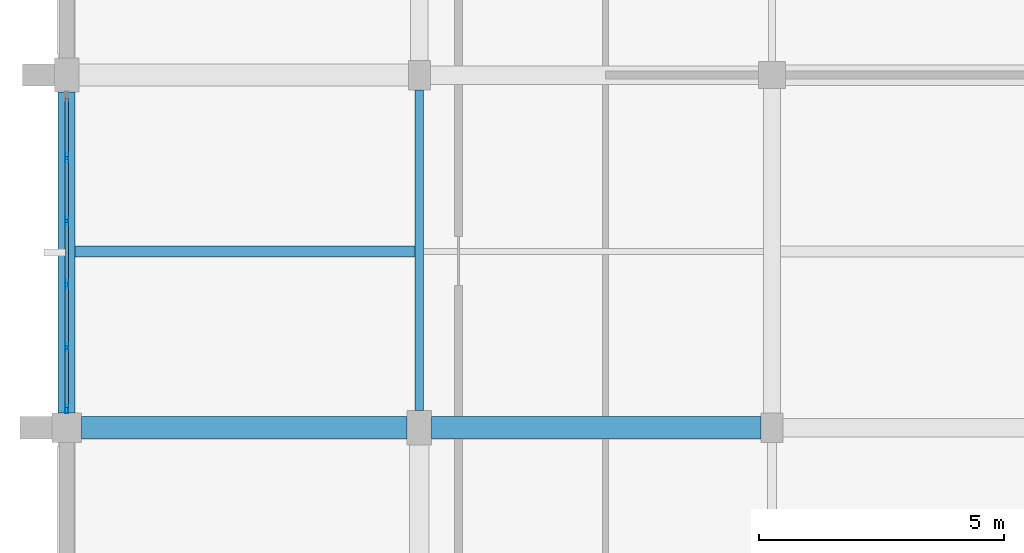
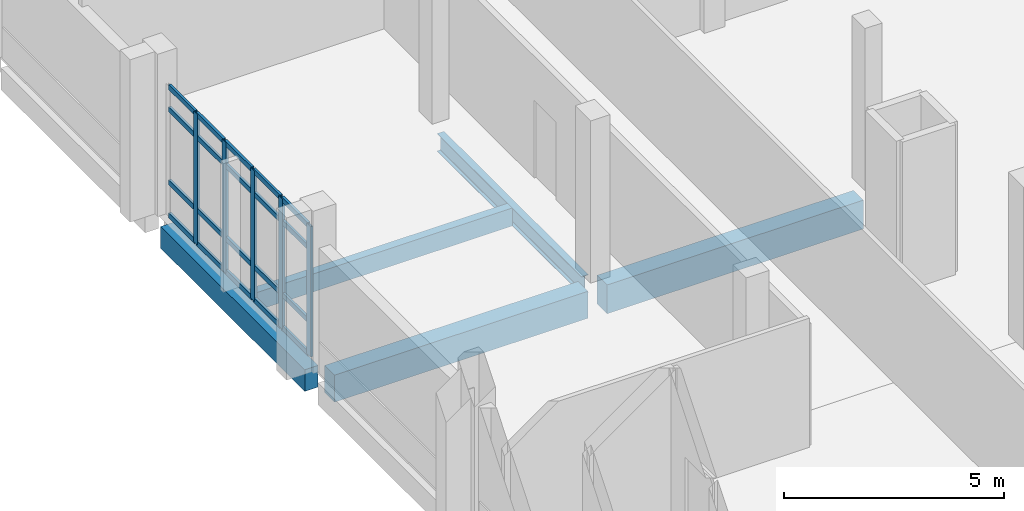
# One storey, part 14 of 57: 25 members, 5 beams, 1 element without a shape of its own.
"""IFC4 building model written with IfcOpenShell, lengths in metres."""

from ifc_helpers import new_model, si_unit, direction, frame, origin, origin_2d, place, context, subcontext, project, spatial, rectangle, hollow_rectangle, i_section, extrude, material, material_profile, profile_set, type_object, element, aggregate, save


model = new_model("IFC4")

# Units and contexts
model_context = context("Model", 3, precision=1e-05, world=origin(), true_north=direction((0.0, 1.0)))
body_context = subcontext(model_context, "Body", "Model", "MODEL_VIEW")
ifc_project = project(units=[si_unit("LENGTHUNIT", "METRE"), si_unit("AREAUNIT", "SQUARE_METRE"), si_unit("VOLUMEUNIT", "CUBIC_METRE"), si_unit("PLANEANGLEUNIT", "RADIAN"), si_unit("MASSUNIT", "GRAM", prefix="KILO")], contexts=[model_context])

# Site, building, storey
site_placement = place(None, origin())
site = spatial("IfcSite", under=ifc_project, at=site_placement, CompositionType="ELEMENT")
building_placement = place(site_placement, origin())
building = spatial("IfcBuilding", under=site, at=building_placement, Name="Kalluvel Institute of Natural Sciences", CompositionType="ELEMENT")
storey_placement = place(building_placement, frame((0.0, 0.0, 23.39990234375)))
storey = spatial("IfcBuildingStorey", under=building, at=storey_placement, Name="L05", CompositionType="ELEMENT", Elevation=23.39990234375)

# Beams
ifc_material_1 = material(Name="Steel E350 Grade 350", Category="steel")
ifc_material_profile_1 = material_profile(ifc_material_1, i_section(OverallWidth=0.179931640625, OverallDepth=0.5, WebThickness=0.01025390625, FlangeThickness=0.01708984375, FilletRadius=0.01708984375, at=origin_2d()), Name="ISMB 500")
ifc_profile_set_1 = profile_set([ifc_material_profile_1], Name="Steel E350 Grade 350")
beam_type_1 = type_object("IfcBeamType", Name="BM-ISMB500", PredefinedType="BEAM", material=ifc_profile_set_1)
beam_1_placement = place(storey_placement, frame((21.199951171875, 71.949951171875, -0.5498046875), z_axis=(0.0, 1.0, 0.0), x_axis=(-1.0, 0.0, 0.0)))
element("IfcBeam", 1, at=beam_1_placement, inside=storey, type_object=beam_type_1, Name="L05 girder GIR-L05-NS-X212-Y716", PredefinedType="BEAM", context=body_context, shape_type="SweptSolid", body=[
    extrude(i_section(OverallWidth=0.179931640625, OverallDepth=0.5, WebThickness=0.01025390625, FlangeThickness=0.01708984375, FilletRadius=0.01708984375, at=origin_2d()), origin(), (0.0, 0.0, 1.0), 6.550048828125),
])
ifc_material_2 = material(Name="Concrete M40", Category="concrete")
ifc_material_profile_2 = material_profile(ifc_material_2, rectangle(XDim=0.449951171875, YDim=0.75, at=origin_2d()), Name="RCB 450x750")
ifc_profile_set_2 = profile_set([ifc_material_profile_2], Name="Concrete M40")
beam_type_2 = type_object("IfcBeamType", Name="BM-RC450x750", PredefinedType="BEAM", material=ifc_profile_set_2)
beam_2_placement = place(storey_placement, frame((14.300048828125, 71.60009765625, -0.6748046875), z_axis=(1.0, 0.0, 0.0), x_axis=(0.0, 1.0, 0.0)))
element("IfcBeam", 2, at=beam_2_placement, inside=storey, type_object=beam_type_2, Name="L05 girder GIR-L05-EW-X140-Y716", PredefinedType="BEAM", context=body_context, shape_type="SweptSolid", body=[
    extrude(rectangle(XDim=0.449951171875, YDim=0.75, at=origin_2d()), origin(), (0.0, 0.0, 1.0), 6.64990234375),
])
ifc_material_profile_3 = material_profile(ifc_material_2, rectangle(XDim=0.449951171875, YDim=0.800048828125, at=origin_2d()), Name="RCB 450x800")
ifc_profile_set_3 = profile_set([ifc_material_profile_3], Name="Concrete M40")
beam_type_3 = type_object("IfcBeamType", Name="BM-RC450x800", PredefinedType="BEAM", material=ifc_profile_set_3)
beam_3_placement = place(storey_placement, frame((21.449951171875, 71.60009765625, -0.699951171875), z_axis=(1.0, 0.0, 0.0), x_axis=(0.0, 1.0, 0.0)))
element("IfcBeam", 3, at=beam_3_placement, inside=storey, type_object=beam_type_3, Name="L05 girder GIR-L05-EW-X212-Y716", PredefinedType="BEAM", context=body_context, shape_type="SweptSolid", body=[
    extrude(rectangle(XDim=0.449951171875, YDim=0.800048828125, at=origin_2d()), origin(), (0.0, 0.0, 1.0), 6.72509765625),
])

# Curtain wall, members
ifc_material_3 = material(Name="Aluminium AW-6063 T6", Category="aluminium")
curtain_wall_type = type_object("IfcCurtainWallType", Name="CW-DRY-45", PredefinedType="USERDEFINED", material=ifc_material_3)
curtain_wall_placement = place(storey_placement, origin())
curtain_wall = element("IfcCurtainWall", 4, at=curtain_wall_placement, inside=storey, type_object=curtain_wall_type, Name="L05 Gothic lancet curtain wall CWA-L05-X140-Y720", ObjectType="UNITISED LANCET FACADE", PredefinedType="USERDEFINED")
ifc_material_profile_4 = material_profile(ifc_material_3, hollow_rectangle(XDim=0.06494140625, YDim=0.179931640625, WallThickness=0.00439453125, at=origin_2d()), Name="CWM 65x180")
ifc_profile_set_4 = profile_set([ifc_material_profile_4], Name="Aluminium AW-6063 T6")
member_type_1 = type_object("IfcMemberType", Name="CWM-65x180", PredefinedType="MULLION", material=ifc_profile_set_4)
member_1_placement = place(storey_placement, frame((14.0, 71.982421875, 0.0), z_axis=(0.0, 0.0, 1.0), x_axis=(-1.0, 0.0, 0.0)))
member_1 = element("IfcMember", 5, at=member_1_placement, type_object=member_type_1, Name="CW-03 mullion 1", PredefinedType="MULLION", context=body_context, shape_type="SweptSolid", body=[
    extrude(hollow_rectangle(XDim=0.06494140625, YDim=0.179931640625, WallThickness=0.00439453125, at=origin_2d()), origin(), (0.0, 0.0, 1.0), 3.6201171875),
])
member_2_placement = place(storey_placement, frame((14.0, 73.239990234375, 0.0), z_axis=(0.0, 0.0, 1.0), x_axis=(-1.0, 0.0, 0.0)))
member_2 = element("IfcMember", 6, at=member_2_placement, type_object=member_type_1, Name="CW-03 mullion 2", PredefinedType="MULLION", context=body_context, shape_type="SweptSolid", body=[
    extrude(hollow_rectangle(XDim=0.06494140625, YDim=0.179931640625, WallThickness=0.00439453125, at=origin_2d()), origin(), (0.0, 0.0, 1.0), 3.6201171875),
])
member_3_placement = place(storey_placement, frame((14.0, 74.530029296875, 0.0), z_axis=(0.0, 0.0, 1.0), x_axis=(-1.0, 0.0, 0.0)))
member_3 = element("IfcMember", 7, at=member_3_placement, type_object=member_type_1, Name="CW-03 mullion 3", PredefinedType="MULLION", context=body_context, shape_type="SweptSolid", body=[
    extrude(hollow_rectangle(XDim=0.06494140625, YDim=0.179931640625, WallThickness=0.00439453125, at=origin_2d()), origin(), (0.0, 0.0, 1.0), 3.6201171875),
])
member_4_placement = place(storey_placement, frame((14.0, 75.820068359375, 0.0), z_axis=(0.0, 0.0, 1.0), x_axis=(-1.0, 0.0, 0.0)))
member_4 = element("IfcMember", 8, at=member_4_placement, type_object=member_type_1, Name="CW-03 mullion 4", PredefinedType="MULLION", context=body_context, shape_type="SweptSolid", body=[
    extrude(hollow_rectangle(XDim=0.06494140625, YDim=0.179931640625, WallThickness=0.00439453125, at=origin_2d()), origin(), (0.0, 0.0, 1.0), 3.6201171875),
])
member_5_placement = place(storey_placement, frame((14.0, 77.110107421875, 0.0), z_axis=(0.0, 0.0, 1.0), x_axis=(-1.0, 0.0, 0.0)))
member_5 = element("IfcMember", 9, at=member_5_placement, type_object=member_type_1, Name="CW-03 mullion 5", PredefinedType="MULLION", context=body_context, shape_type="SweptSolid", body=[
    extrude(hollow_rectangle(XDim=0.06494140625, YDim=0.179931640625, WallThickness=0.00439453125, at=origin_2d()), origin(), (0.0, 0.0, 1.0), 3.6201171875),
])
ifc_material_profile_5 = material_profile(ifc_material_3, hollow_rectangle(XDim=0.06494140625, YDim=0.139892578125, WallThickness=0.00439453125, at=origin_2d()), Name="CWT 65x140")
ifc_profile_set_5 = profile_set([ifc_material_profile_5], Name="Aluminium AW-6063 T6")
member_type_2 = type_object("IfcMemberType", Name="CWT-65x140", PredefinedType="USERDEFINED", material=ifc_profile_set_5)
member_6_placement = place(storey_placement, frame((14.0, 72.014892578125, 0.03271484375), z_axis=(0.0, 1.0, 0.0), x_axis=(-1.0, 0.0, 0.0)))
member_6 = element("IfcMember", 10, at=member_6_placement, type_object=member_type_2, Name="CW-03 transom 1.1", ObjectType="TRANSOM", PredefinedType="USERDEFINED", context=body_context, shape_type="SweptSolid", body=[
    extrude(hollow_rectangle(XDim=0.06494140625, YDim=0.139892578125, WallThickness=0.00439453125, at=origin_2d()), origin(), (0.0, 0.0, 1.0), 1.192626953125),
])
member_7_placement = place(storey_placement, frame((14.0, 72.014892578125, 0.9501953125), z_axis=(0.0, 1.0, 0.0), x_axis=(-1.0, 0.0, 0.0)))
member_7 = element("IfcMember", 11, at=member_7_placement, type_object=member_type_2, Name="CW-03 transom 1.2", ObjectType="TRANSOM", PredefinedType="USERDEFINED", context=body_context, shape_type="SweptSolid", body=[
    extrude(hollow_rectangle(XDim=0.06494140625, YDim=0.139892578125, WallThickness=0.00439453125, at=origin_2d()), origin(), (0.0, 0.0, 1.0), 1.192626953125),
])
member_8_placement = place(storey_placement, frame((14.0, 72.014892578125, 2.97021484375), z_axis=(0.0, 1.0, 0.0), x_axis=(-1.0, 0.0, 0.0)))
member_8 = element("IfcMember", 12, at=member_8_placement, type_object=member_type_2, Name="CW-03 transom 1.3", ObjectType="TRANSOM", PredefinedType="USERDEFINED", context=body_context, shape_type="SweptSolid", body=[
    extrude(hollow_rectangle(XDim=0.06494140625, YDim=0.139892578125, WallThickness=0.00439453125, at=origin_2d()), origin(), (0.0, 0.0, 1.0), 1.192626953125),
])
member_9_placement = place(storey_placement, frame((14.0, 72.014892578125, 3.587646484375), z_axis=(0.0, 1.0, 0.0), x_axis=(-1.0, 0.0, 0.0)))
member_9 = element("IfcMember", 13, at=member_9_placement, type_object=member_type_2, Name="CW-03 transom 1.4", ObjectType="TRANSOM", PredefinedType="USERDEFINED", context=body_context, shape_type="SweptSolid", body=[
    extrude(hollow_rectangle(XDim=0.06494140625, YDim=0.139892578125, WallThickness=0.00439453125, at=origin_2d()), origin(), (0.0, 0.0, 1.0), 1.192626953125),
])
member_10_placement = place(storey_placement, frame((14.0, 73.2724609375, 0.03271484375), z_axis=(0.0, 1.0, 0.0), x_axis=(-1.0, 0.0, 0.0)))
member_10 = element("IfcMember", 14, at=member_10_placement, type_object=member_type_2, Name="CW-03 transom 2.1", ObjectType="TRANSOM", PredefinedType="USERDEFINED", context=body_context, shape_type="SweptSolid", body=[
    extrude(hollow_rectangle(XDim=0.06494140625, YDim=0.139892578125, WallThickness=0.00439453125, at=origin_2d()), origin(), (0.0, 0.0, 1.0), 1.22509765625),
])
member_11_placement = place(storey_placement, frame((14.0, 73.2724609375, 0.9501953125), z_axis=(0.0, 1.0, 0.0), x_axis=(-1.0, 0.0, 0.0)))
member_11 = element("IfcMember", 15, at=member_11_placement, type_object=member_type_2, Name="CW-03 transom 2.2", ObjectType="TRANSOM", PredefinedType="USERDEFINED", context=body_context, shape_type="SweptSolid", body=[
    extrude(hollow_rectangle(XDim=0.06494140625, YDim=0.139892578125, WallThickness=0.00439453125, at=origin_2d()), origin(), (0.0, 0.0, 1.0), 1.22509765625),
])
member_12_placement = place(storey_placement, frame((14.0, 73.2724609375, 2.97021484375), z_axis=(0.0, 1.0, 0.0), x_axis=(-1.0, 0.0, 0.0)))
member_12 = element("IfcMember", 16, at=member_12_placement, type_object=member_type_2, Name="CW-03 transom 2.3", ObjectType="TRANSOM", PredefinedType="USERDEFINED", context=body_context, shape_type="SweptSolid", body=[
    extrude(hollow_rectangle(XDim=0.06494140625, YDim=0.139892578125, WallThickness=0.00439453125, at=origin_2d()), origin(), (0.0, 0.0, 1.0), 1.22509765625),
])
member_13_placement = place(storey_placement, frame((14.0, 73.2724609375, 3.587646484375), z_axis=(0.0, 1.0, 0.0), x_axis=(-1.0, 0.0, 0.0)))
member_13 = element("IfcMember", 17, at=member_13_placement, type_object=member_type_2, Name="CW-03 transom 2.4", ObjectType="TRANSOM", PredefinedType="USERDEFINED", context=body_context, shape_type="SweptSolid", body=[
    extrude(hollow_rectangle(XDim=0.06494140625, YDim=0.139892578125, WallThickness=0.00439453125, at=origin_2d()), origin(), (0.0, 0.0, 1.0), 1.22509765625),
])
member_14_placement = place(storey_placement, frame((14.0, 74.5625, 0.03271484375), z_axis=(0.0, 1.0, 0.0), x_axis=(-1.0, 0.0, 0.0)))
member_14 = element("IfcMember", 18, at=member_14_placement, type_object=member_type_2, Name="CW-03 transom 3.1", ObjectType="TRANSOM", PredefinedType="USERDEFINED", context=body_context, shape_type="SweptSolid", body=[
    extrude(hollow_rectangle(XDim=0.06494140625, YDim=0.139892578125, WallThickness=0.00439453125, at=origin_2d()), origin(), (0.0, 0.0, 1.0), 1.22509765625),
])
member_15_placement = place(storey_placement, frame((14.0, 74.5625, 0.9501953125), z_axis=(0.0, 1.0, 0.0), x_axis=(-1.0, 0.0, 0.0)))
member_15 = element("IfcMember", 19, at=member_15_placement, type_object=member_type_2, Name="CW-03 transom 3.2", ObjectType="TRANSOM", PredefinedType="USERDEFINED", context=body_context, shape_type="SweptSolid", body=[
    extrude(hollow_rectangle(XDim=0.06494140625, YDim=0.139892578125, WallThickness=0.00439453125, at=origin_2d()), origin(), (0.0, 0.0, 1.0), 1.22509765625),
])
member_16_placement = place(storey_placement, frame((14.0, 74.5625, 2.97021484375), z_axis=(0.0, 1.0, 0.0), x_axis=(-1.0, 0.0, 0.0)))
member_16 = element("IfcMember", 20, at=member_16_placement, type_object=member_type_2, Name="CW-03 transom 3.3", ObjectType="TRANSOM", PredefinedType="USERDEFINED", context=body_context, shape_type="SweptSolid", body=[
    extrude(hollow_rectangle(XDim=0.06494140625, YDim=0.139892578125, WallThickness=0.00439453125, at=origin_2d()), origin(), (0.0, 0.0, 1.0), 1.22509765625),
])
member_17_placement = place(storey_placement, frame((14.0, 74.5625, 3.587646484375), z_axis=(0.0, 1.0, 0.0), x_axis=(-1.0, 0.0, 0.0)))
member_17 = element("IfcMember", 21, at=member_17_placement, type_object=member_type_2, Name="CW-03 transom 3.4", ObjectType="TRANSOM", PredefinedType="USERDEFINED", context=body_context, shape_type="SweptSolid", body=[
    extrude(hollow_rectangle(XDim=0.06494140625, YDim=0.139892578125, WallThickness=0.00439453125, at=origin_2d()), origin(), (0.0, 0.0, 1.0), 1.22509765625),
])
member_18_placement = place(storey_placement, frame((14.0, 75.8525390625, 0.03271484375), z_axis=(0.0, 1.0, 0.0), x_axis=(-1.0, 0.0, 0.0)))
member_18 = element("IfcMember", 22, at=member_18_placement, type_object=member_type_2, Name="CW-03 transom 4.1", ObjectType="TRANSOM", PredefinedType="USERDEFINED", context=body_context, shape_type="SweptSolid", body=[
    extrude(hollow_rectangle(XDim=0.06494140625, YDim=0.139892578125, WallThickness=0.00439453125, at=origin_2d()), origin(), (0.0, 0.0, 1.0), 1.224853515625),
])
member_19_placement = place(storey_placement, frame((14.0, 75.8525390625, 0.9501953125), z_axis=(0.0, 1.0, 0.0), x_axis=(-1.0, 0.0, 0.0)))
member_19 = element("IfcMember", 23, at=member_19_placement, type_object=member_type_2, Name="CW-03 transom 4.2", ObjectType="TRANSOM", PredefinedType="USERDEFINED", context=body_context, shape_type="SweptSolid", body=[
    extrude(hollow_rectangle(XDim=0.06494140625, YDim=0.139892578125, WallThickness=0.00439453125, at=origin_2d()), origin(), (0.0, 0.0, 1.0), 1.224853515625),
])
member_20_placement = place(storey_placement, frame((14.0, 75.8525390625, 2.97021484375), z_axis=(0.0, 1.0, 0.0), x_axis=(-1.0, 0.0, 0.0)))
member_20 = element("IfcMember", 24, at=member_20_placement, type_object=member_type_2, Name="CW-03 transom 4.3", ObjectType="TRANSOM", PredefinedType="USERDEFINED", context=body_context, shape_type="SweptSolid", body=[
    extrude(hollow_rectangle(XDim=0.06494140625, YDim=0.139892578125, WallThickness=0.00439453125, at=origin_2d()), origin(), (0.0, 0.0, 1.0), 1.224853515625),
])
member_21_placement = place(storey_placement, frame((14.0, 75.8525390625, 3.587646484375), z_axis=(0.0, 1.0, 0.0), x_axis=(-1.0, 0.0, 0.0)))
member_21 = element("IfcMember", 25, at=member_21_placement, type_object=member_type_2, Name="CW-03 transom 4.4", ObjectType="TRANSOM", PredefinedType="USERDEFINED", context=body_context, shape_type="SweptSolid", body=[
    extrude(hollow_rectangle(XDim=0.06494140625, YDim=0.139892578125, WallThickness=0.00439453125, at=origin_2d()), origin(), (0.0, 0.0, 1.0), 1.224853515625),
])
member_22_placement = place(storey_placement, frame((14.0, 77.142578125, 0.03271484375), z_axis=(0.0, 1.0, 0.0), x_axis=(-1.0, 0.0, 0.0)))
member_22 = element("IfcMember", 26, at=member_22_placement, type_object=member_type_2, Name="CW-03 transom 5.1", ObjectType="TRANSOM", PredefinedType="USERDEFINED", context=body_context, shape_type="SweptSolid", body=[
    extrude(hollow_rectangle(XDim=0.06494140625, YDim=0.139892578125, WallThickness=0.00439453125, at=origin_2d()), origin(), (0.0, 0.0, 1.0), 1.1923828125),
])
member_23_placement = place(storey_placement, frame((14.0, 77.142578125, 0.9501953125), z_axis=(0.0, 1.0, 0.0), x_axis=(-1.0, 0.0, 0.0)))
member_23 = element("IfcMember", 27, at=member_23_placement, type_object=member_type_2, Name="CW-03 transom 5.2", ObjectType="TRANSOM", PredefinedType="USERDEFINED", context=body_context, shape_type="SweptSolid", body=[
    extrude(hollow_rectangle(XDim=0.06494140625, YDim=0.139892578125, WallThickness=0.00439453125, at=origin_2d()), origin(), (0.0, 0.0, 1.0), 1.1923828125),
])
member_24_placement = place(storey_placement, frame((14.0, 77.142578125, 2.97021484375), z_axis=(0.0, 1.0, 0.0), x_axis=(-1.0, 0.0, 0.0)))
member_24 = element("IfcMember", 28, at=member_24_placement, type_object=member_type_2, Name="CW-03 transom 5.3", ObjectType="TRANSOM", PredefinedType="USERDEFINED", context=body_context, shape_type="SweptSolid", body=[
    extrude(hollow_rectangle(XDim=0.06494140625, YDim=0.139892578125, WallThickness=0.00439453125, at=origin_2d()), origin(), (0.0, 0.0, 1.0), 1.1923828125),
])
member_25_placement = place(storey_placement, frame((14.0, 77.142578125, 3.587646484375), z_axis=(0.0, 1.0, 0.0), x_axis=(-1.0, 0.0, 0.0)))
member_25 = element("IfcMember", 29, at=member_25_placement, type_object=member_type_2, Name="CW-03 transom 5.4", ObjectType="TRANSOM", PredefinedType="USERDEFINED", context=body_context, shape_type="SweptSolid", body=[
    extrude(hollow_rectangle(XDim=0.06494140625, YDim=0.139892578125, WallThickness=0.00439453125, at=origin_2d()), origin(), (0.0, 0.0, 1.0), 1.1923828125),
])
aggregate(curtain_wall, [member_1, member_2, member_3, member_4, member_5, member_6, member_7, member_8, member_9, member_10, member_11, member_12, member_13, member_14, member_15, member_16, member_17, member_18, member_19, member_20, member_21, member_22, member_23, member_24, member_25])

# Beams
ifc_material_profile_6 = material_profile(ifc_material_2, rectangle(XDim=0.35009765625, YDim=0.60009765625, at=origin_2d()), Name="RCB 350x600")
ifc_profile_set_6 = profile_set([ifc_material_profile_6], Name="Concrete M40")
beam_type_4 = type_object("IfcBeamType", Name="SP-RC350x600", PredefinedType="SPANDREL", material=ifc_profile_set_6)
beam_4_placement = place(storey_placement, frame((14.0, 71.89990234375, -0.599853515625), z_axis=(0.0, 1.0, 0.0), x_axis=(-1.0, 0.0, 0.0)))
element("IfcBeam", 30, at=beam_4_placement, inside=storey, type_object=beam_type_4, Name="L05 girder GIR-L05-NS-X140-Y716", PredefinedType="SPANDREL", context=body_context, shape_type="SweptSolid", body=[
    extrude(rectangle(XDim=0.35009765625, YDim=0.60009765625, at=origin_2d()), origin(), (0.0, 0.0, 1.0), 6.550048828125),
])
ifc_material_profile_7 = material_profile(ifc_material_2, rectangle(XDim=0.219970703125, YDim=0.5, at=origin_2d()), Name="WAF 220x500")
ifc_profile_set_7 = profile_set([ifc_material_profile_7], Name="Concrete M40")
beam_type_5 = type_object("IfcBeamType", Name="WJ-220x500", PredefinedType="JOIST", material=ifc_profile_set_7)
beam_5_placement = place(storey_placement, frame((14.175048828125, 75.199951171875, -0.5498046875), z_axis=(1.0, 0.0, 0.0), x_axis=(0.0, 1.0, 0.0)))
element("IfcBeam", 31, at=beam_5_placement, inside=storey, type_object=beam_type_5, Name="L05 floor rib RIB-L05-0749", PredefinedType="JOIST", context=body_context, shape_type="SweptSolid", body=[
    extrude(rectangle(XDim=0.219970703125, YDim=0.5, at=origin_2d()), origin(), (0.0, 0.0, 1.0), 6.93505859375),
])

save(model, "model.ifc")
